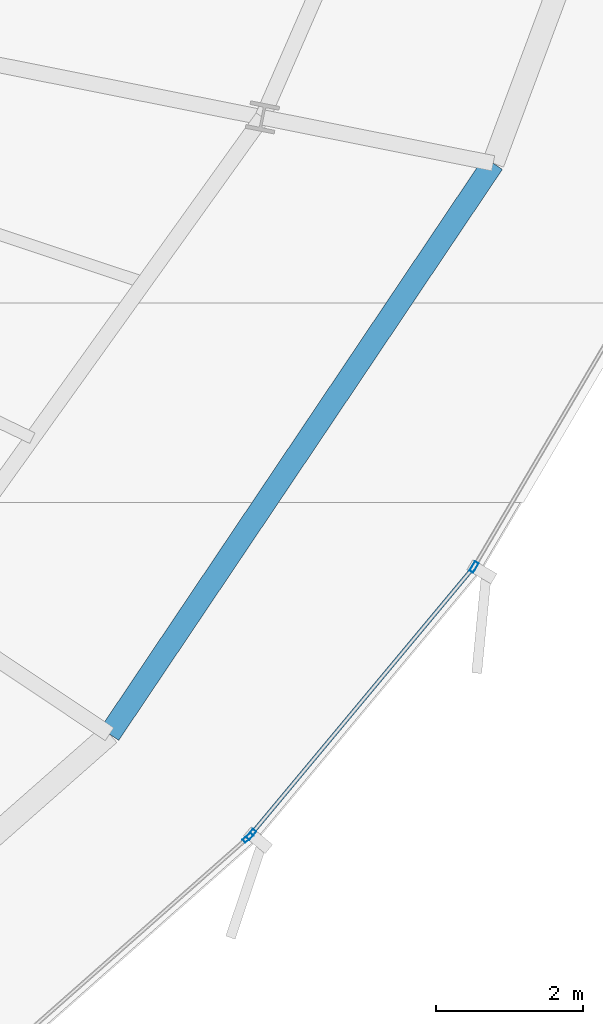
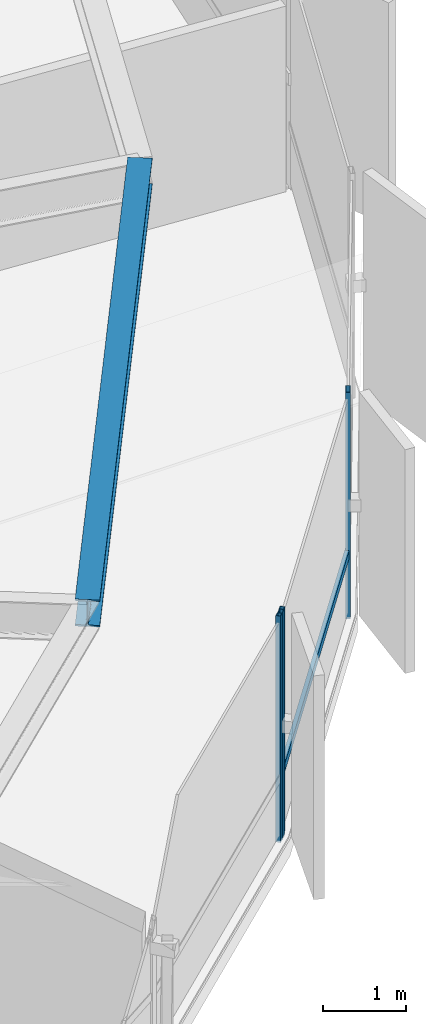
# One storey, part 14 of 33: 4 members, 1 beam, 2 elements without a shape of their own.
"""IFC4 building model written with IfcOpenShell, lengths in metres."""

import ifcopenshell
import ifcopenshell.guid

model = None  # the IFC model being written
_history = None  # IfcOwnerHistory: only IFC2X3 demands one
_inside = {}  # id of a spatial element -> (the spatial element, [elements in it])
_under = {}  # id of a project, library or spatial element -> (it, [spatial elements below it])
_declared = {}  # id of a project -> (the project, [libraries it declares])
_typed = {}  # id of a type object -> (the type object, [elements of that type])
_made_of = {}  # id of a material, layer set ... -> (it, [elements and type objects made of it])


def new_model(schema):
    """Start an empty IFC model of exactly this schema.

    Asked for "IFC4X3", IfcOpenShell would pick the latest addendum, in which some entities
    have other attributes; the version numbers below select the first issue.
    IFC2X3 requires an IfcOwnerHistory on every rooted entity: one is made here for all.
    """
    global model, _history
    if schema == "IFC4X3":
        model = ifcopenshell.file(schema_version=(4, 3, 0, 0))
    else:
        model = ifcopenshell.file(schema=schema)
    _inside.clear()
    _under.clear()
    _declared.clear()
    _typed.clear()
    _made_of.clear()
    _history = None
    if model.schema == "IFC2X3":
        org = make("IfcOrganization", Name="unknown")
        user = make(
            "IfcPersonAndOrganization",
            ThePerson=make("IfcPerson", FamilyName="unknown"),
            TheOrganization=org,
        )
        app = make(
            "IfcApplication",
            ApplicationDeveloper=org,
            Version="unknown",
            ApplicationFullName="unknown",
            ApplicationIdentifier="unknown",
        )
        _history = make(
            "IfcOwnerHistory",
            OwningUser=user,
            OwningApplication=app,
            ChangeAction="ADDED",
            CreationDate=0,
        )
    return model


def make(cls, **values):
    """One entity of the class cls with the attributes given. An attribute that is None is left unset."""
    return model.create_entity(
        cls, **{name: value for name, value in values.items() if value is not None}
    )


def rooted(cls, **values):
    """An entity with a GlobalId (a new one), such as an element, a storey or a relation."""
    return make(cls, GlobalId=ifcopenshell.guid.new(), OwnerHistory=_history, **values)


def si_unit(unit_type, name, prefix=None):
    """IfcSIUnit, for example si_unit("LENGTHUNIT", "METRE", prefix="MILLI")."""
    return make("IfcSIUnit", UnitType=unit_type, Prefix=prefix, Name=name)


def assignment(units):
    """IfcUnitAssignment: the units of a project."""
    return None if units is None else make("IfcUnitAssignment", Units=units)


def point(xyz):
    """IfcCartesianPoint."""
    return None if xyz is None else make("IfcCartesianPoint", Coordinates=xyz)


def direction(xyz):
    """IfcDirection."""
    return None if xyz is None else make("IfcDirection", DirectionRatios=xyz)


def frame(location, z_axis=None, x_axis=None):
    """IfcAxis2Placement3D, a coordinate frame: its origin and axes. An axis left out is left unset."""
    return make(
        "IfcAxis2Placement3D",
        Location=point(location),
        Axis=direction(z_axis),
        RefDirection=direction(x_axis),
    )


def frame_2d(location, x_axis=None):
    """IfcAxis2Placement2D, a coordinate frame in the plane: its origin and x axis."""
    return make(
        "IfcAxis2Placement2D", Location=point(location), RefDirection=direction(x_axis)
    )


def origin():
    """The frame at (0, 0, 0) with its axes left unset."""
    return frame((0.0, 0.0, 0.0))


def origin_2d():
    """The frame at (0, 0) in the plane with its x axis left unset."""
    return frame_2d((0.0, 0.0))


def place(relative_to, where):
    """IfcLocalPlacement: puts the frame where relative to a parent placement (None: the world)."""
    return make(
        "IfcLocalPlacement", PlacementRelTo=relative_to, RelativePlacement=where
    )


def context(
    kind, dimensions, precision=None, world=None, true_north=None, identifier=None
):
    """IfcGeometricRepresentationContext, for example the 3D "Model" context."""
    return make(
        "IfcGeometricRepresentationContext",
        ContextIdentifier=identifier,
        ContextType=kind,
        CoordinateSpaceDimension=dimensions,
        Precision=precision,
        WorldCoordinateSystem=world,
        TrueNorth=true_north,
    )


def subcontext(parent, identifier, kind, view, scale=None):
    """IfcGeometricRepresentationSubContext, for example "Body" below "Model"."""
    return make(
        "IfcGeometricRepresentationSubContext",
        ContextIdentifier=identifier,
        ContextType=kind,
        ParentContext=parent,
        TargetScale=scale,
        TargetView=view,
    )


def project(units=None, contexts=None):
    """IfcProject with its units and contexts."""
    return rooted(
        "IfcProject",
        Name="project",
        RepresentationContexts=contexts,
        UnitsInContext=assignment(units),
    )


def spatial(cls, under=None, at=None, **own):
    """A site, building, storey or space (cls), placed at a placement, below another one or the project."""
    s = rooted(cls, ObjectPlacement=at, **own)
    if under is not None:
        _under.setdefault(under.id(), (under, []))[1].append(s)
    return s


def profile(cls, at=None, kind="AREA", **sizes):
    """A parametric profile (cls). Its sizes go by their IFC names, for example OverallWidth=200.0."""
    return make(cls, ProfileType=kind, Position=at, **sizes)


def hollow_rectangle(**sizes):
    """IfcRectangleHollowProfileDef."""
    return profile("IfcRectangleHollowProfileDef", **sizes)


def i_section(**sizes):
    """IfcIShapeProfileDef."""
    return profile("IfcIShapeProfileDef", **sizes)


def extrude(swept, where, along, depth):
    """IfcExtrudedAreaSolid: the profile swept, set in the frame where, extruded along a direction by depth."""
    return make(
        "IfcExtrudedAreaSolid",
        SweptArea=swept,
        Position=where,
        ExtrudedDirection=direction(along),
        Depth=depth,
    )


def shape(context_of_items, identifier, shape_type, items):
    """IfcShapeRepresentation: the items that make up one representation, for example the "Body"."""
    return make(
        "IfcShapeRepresentation",
        ContextOfItems=context_of_items,
        RepresentationIdentifier=identifier,
        RepresentationType=shape_type,
        Items=items,
    )


def source(mapping_origin, context_of_items, identifier, shape_type, items):
    """IfcRepresentationMap: a shape defined once, which mapped items show again and again."""
    return make(
        "IfcRepresentationMap",
        MappingOrigin=mapping_origin,
        MappedRepresentation=shape(context_of_items, identifier, shape_type, items),
    )


def transform(
    local_origin,
    x_axis=None,
    y_axis=None,
    z_axis=None,
    scale=None,
    scale2=None,
    scale3=None,
    uniform=True,
):
    """IfcCartesianTransformationOperator3D, or its non-uniform kind. x_axis, y_axis, z_axis: its Axis1, 2, 3."""
    if uniform:
        return make(
            "IfcCartesianTransformationOperator3D",
            Axis1=direction(x_axis),
            Axis2=direction(y_axis),
            LocalOrigin=point(local_origin),
            Scale=scale,
            Axis3=direction(z_axis),
        )
    return make(
        "IfcCartesianTransformationOperator3DnonUniform",
        Axis1=direction(x_axis),
        Axis2=direction(y_axis),
        LocalOrigin=point(local_origin),
        Scale=scale,
        Axis3=direction(z_axis),
        Scale2=scale2,
        Scale3=scale3,
    )


def mapped(mapping_source, mapping_target):
    """IfcMappedItem: shows the shape of a source again, moved by a transform."""
    return make(
        "IfcMappedItem", MappingSource=mapping_source, MappingTarget=mapping_target
    )


def material(Name=None, Category=None):
    """IfcMaterial."""
    return make("IfcMaterial", Name=Name, Category=Category)


def layer(
    of_material, thickness, ventilated=None, Name=None, Category=None, Priority=None
):
    """IfcMaterialLayer: one layer of a wall or slab, of a material (None: an air gap)."""
    return make(
        "IfcMaterialLayer",
        Material=of_material,
        LayerThickness=thickness,
        IsVentilated=ventilated,
        Name=Name,
        Category=Category,
        Priority=Priority,
    )


def layer_set(layers, Name=None):
    """IfcMaterialLayerSet."""
    return make("IfcMaterialLayerSet", MaterialLayers=layers, LayerSetName=Name)


def material_profile(
    of_material, cross_section, Name=None, Category=None, Priority=None
):
    """IfcMaterialProfile: a cross section and its material."""
    return make(
        "IfcMaterialProfile",
        Name=Name,
        Material=of_material,
        Profile=cross_section,
        Priority=Priority,
        Category=Category,
    )


def profile_set(profiles, Name=None, composite=None):
    """IfcMaterialProfileSet."""
    return make(
        "IfcMaterialProfileSet",
        Name=Name,
        MaterialProfiles=profiles,
        CompositeProfile=composite,
    )


def made_of(thing, what):
    """Note that an element or type object is made of a material, layer set ...; save() writes the relation."""
    if what is not None:
        _made_of.setdefault(what.id(), (what, []))[1].append(thing)
    return thing


def type_object(cls, material=None, **own):
    """A type object (cls), such as IfcWallType, which elements share."""
    return made_of(rooted(cls, **own), material)


def element(
    cls,
    number,
    at=None,
    inside=None,
    cuts=None,
    type_object=None,
    material=None,
    context=None,
    identifier="Body",
    shape_type=None,
    held_by="IfcProductDefinitionShape",
    body=None,
    shapes=None,
    **own,
):
    """One element of the class cls, such as IfcWall. Its Tag is "e" and its number.

    at: its placement. inside: the storey or other place that contains it. cuts: it is an
    opening in that element (IfcRelVoidsElement). A single representation is given by context,
    identifier, shape_type and body (its items); several are given by shapes. held_by: the class
    of the entity that holds the representations. save() writes the other relations.
    """
    e = rooted(cls, Tag="e%d" % number, ObjectPlacement=at, **own)
    if body is not None:
        shapes = [shape(context, identifier, shape_type, body)]
    if shapes is not None:
        e.Representation = make(held_by, Representations=shapes)
    if inside is not None:
        _inside.setdefault(inside.id(), (inside, []))[1].append(e)
    if cuts is not None:
        rooted(
            "IfcRelVoidsElement", RelatingBuildingElement=cuts, RelatedOpeningElement=e
        )
    if type_object is not None:
        _typed.setdefault(type_object.id(), (type_object, []))[1].append(e)
    return made_of(e, material)


def aggregate(whole, parts):
    """IfcRelAggregates: a whole, such as a stair, and the parts it consists of."""
    return rooted("IfcRelAggregates", RelatingObject=whole, RelatedObjects=parts)


def save(model, path):
    """Write the relations noted so far, then the file.

    IfcRelAggregates (storeys below a building ...), IfcRelContainedInSpatialStructure (elements
    in a storey), IfcRelDefinesByType, IfcRelAssociatesMaterial and IfcRelDeclares: one each for
    every whole, place, type object, material and project.
    """
    for whole, parts in _under.values():
        aggregate(whole, parts)
    for where, things in _inside.values():
        rooted(
            "IfcRelContainedInSpatialStructure",
            RelatedElements=things,
            RelatingStructure=where,
        )
    for kind, things in _typed.values():
        rooted("IfcRelDefinesByType", RelatedObjects=things, RelatingType=kind)
    for what, things in _made_of.values():
        rooted("IfcRelAssociatesMaterial", RelatedObjects=things, RelatingMaterial=what)
    for by, libraries in _declared.values():
        rooted("IfcRelDeclares", RelatingContext=by, RelatedDefinitions=libraries)
    model.write(path)


model = new_model("IFC4")

# Units and contexts
model_context = context("Model", 3, precision=1e-05, world=origin(), true_north=direction((0.0, 1.0)))
body_context = subcontext(model_context, "Body", "Model", "MODEL_VIEW")
ifc_project = project(units=[si_unit("LENGTHUNIT", "METRE"), si_unit("AREAUNIT", "SQUARE_METRE"), si_unit("VOLUMEUNIT", "CUBIC_METRE"), si_unit("PLANEANGLEUNIT", "RADIAN"), si_unit("MASSUNIT", "GRAM", prefix="KILO"), si_unit("THERMODYNAMICTEMPERATUREUNIT", "KELVIN")], contexts=[model_context])

# Site, building, storey
site_placement = place(None, origin())
site = spatial("IfcSite", under=ifc_project, at=site_placement, CompositionType="ELEMENT")
building_placement = place(site_placement, origin())
building = spatial("IfcBuilding", under=site, at=building_placement, Name="Kethvar Cultural Tower", CompositionType="ELEMENT")
storey_placement = place(building_placement, frame((0.0, 0.0, 118.0)))
storey = spatial("IfcBuildingStorey", under=building, at=storey_placement, Name="L29", CompositionType="ELEMENT", Elevation=118.0)

# Beam
ifc_material_1 = material(Name="Steel S355J2", Category="steel")
ifc_material_profile_1 = material_profile(ifc_material_1, i_section(OverallWidth=0.300048828125, OverallDepth=0.39990234375, WebThickness=0.013427734375, FlangeThickness=0.02392578125, FilletRadius=0.027099609375, at=origin_2d()), Name="Steel S355J2 — HEB400")
ifc_profile_set_1 = profile_set([ifc_material_profile_1], Name="Steel S355J2 — HEB400")
beam_type = type_object("IfcBeamType", Name="BM-SP400", PredefinedType="SPANDREL", material=ifc_profile_set_1)
shared_shape_1 = source(origin(), body_context, "Body", "SweptSolid", [
    extrude(i_section(OverallWidth=0.300048828125, OverallDepth=0.39990234375, WebThickness=0.013427734375, FlangeThickness=0.02392578125, FilletRadius=0.027099609375, at=origin_2d()), origin(), (0.0, 0.0, 1.0), 9.355224609375),
])
beam_placement = place(storey_placement, frame((65.559326171875, 15.265380859375, 3.14794921875), z_axis=(0.557731714622, 0.830021285573, 0.0), x_axis=(-0.830021285573, 0.557731714622, 0.0)))
element("IfcBeam", 1, at=beam_placement, inside=storey, type_object=beam_type, Name="L29 Perimeter Spandrel Beam SP-15", PredefinedType="SPANDREL", context=body_context, shape_type="MappedRepresentation", body=[
    mapped(shared_shape_1, transform((0.0, 0.0, 0.0), scale=1.0)),
])

# Curtain wall, member
ifc_material_2 = material(Name="Aluminium 6063-T6", Category="aluminium")
ifc_layer = layer(ifc_material_2, 0.179931640625, Name="Aluminium 6063-T6", Category="aluminium")
ifc_layer_set = layer_set([ifc_layer], Name="Aluminium 6063-T6 (180 mm)")
curtain_wall_type = type_object("IfcCurtainWallType", Name="CW-SYS-03-Z2", PredefinedType="NOTDEFINED", material=ifc_layer_set)
curtain_wall_1_placement = place(storey_placement, origin())
curtain_wall_1 = element("IfcCurtainWall", 2, at=curtain_wall_1_placement, inside=storey, type_object=curtain_wall_type, Name="L29 Curtain Wall Run 05", PredefinedType="NOTDEFINED")
ifc_material_profile_2 = material_profile(ifc_material_2, hollow_rectangle(XDim=0.06005859375, YDim=0.14990234375, WallThickness=0.0048828125, at=origin_2d()), Name="Aluminium 6063-T6 — RHS150x60x5")
ifc_profile_set_2 = profile_set([ifc_material_profile_2], Name="Aluminium 6063-T6 — RHS150x60x5")
member_type_1 = type_object("IfcMemberType", Name="CW-SYS-03-Z2-MUL", PredefinedType="MULLION", material=ifc_profile_set_2)
shared_shape_2 = source(origin(), body_context, "Body", "SweptSolid", [
    extrude(hollow_rectangle(XDim=0.06005859375, YDim=0.14990234375, WallThickness=0.0048828125, at=origin_2d()), origin(), (0.0, 0.0, 1.0), 3.35009765625),
])
member_1_placement = place(storey_placement, frame((67.44189453125, 13.860107421875, 0.0), z_axis=(0.0, 0.0, 1.0), x_axis=(-0.66183538044, 0.749649204093, 0.0)))
member_1 = element("IfcMember", 3, at=member_1_placement, type_object=member_type_1, Name="CW-L29-R05 Mullion 7", PredefinedType="MULLION", context=body_context, shape_type="MappedRepresentation", body=[
    mapped(shared_shape_2, transform((0.0, 0.0, 0.0), scale=1.0)),
])
aggregate(curtain_wall_1, [member_1])

# Curtain wall, members
curtain_wall_2_placement = place(storey_placement, origin())
curtain_wall_2 = element("IfcCurtainWall", 4, at=curtain_wall_2_placement, inside=storey, type_object=curtain_wall_type, Name="L29 Curtain Wall Run 06", PredefinedType="NOTDEFINED")
member_2_placement = place(storey_placement, frame((67.48388671875, 13.9033203125, 0.0), z_axis=(0.0, 0.0, 1.0), x_axis=(-0.768160617195, 0.640257187535, 0.0)))
member_2 = element("IfcMember", 5, at=member_2_placement, type_object=member_type_1, Name="CW-L29-R06 Mullion 1", PredefinedType="MULLION", context=body_context, shape_type="MappedRepresentation", body=[
    mapped(shared_shape_2, transform((0.0, 0.0, 0.0), scale=1.0)),
])
member_3_placement = place(storey_placement, frame((70.51611328125, 17.538818359375, 0.0), z_axis=(0.0, 0.0, 1.0), x_axis=(-0.861389892962, 0.507944339768, 0.0)))
member_3 = element("IfcMember", 6, at=member_3_placement, type_object=member_type_1, Name="CW-L29-R06 Mullion 2", PredefinedType="MULLION", context=body_context, shape_type="MappedRepresentation", body=[
    mapped(shared_shape_2, transform((0.0, 0.0, 0.0), scale=1.0)),
])
ifc_material_profile_3 = material_profile(ifc_material_2, hollow_rectangle(XDim=0.054931640625, YDim=0.1201171875, WallThickness=0.00390625, at=origin_2d()), Name="Aluminium 6063-T6 — RHS120x55x4")
ifc_profile_set_3 = profile_set([ifc_material_profile_3], Name="Aluminium 6063-T6 — RHS120x55x4")
member_type_2 = type_object("IfcMemberType", Name="CW-SYS-03-Z2-TRN", PredefinedType="USERDEFINED", material=ifc_profile_set_3)
shared_shape_3 = source(origin(), body_context, "Body", "SweptSolid", [
    extrude(hollow_rectangle(XDim=0.054931640625, YDim=0.1201171875, WallThickness=0.00390625, at=origin_2d()), origin(), (0.0, 0.0, 1.0), 4.705078125),
])
member_4_placement = place(storey_placement, frame((67.486572265625, 13.906494140625, 0.949951171875), z_axis=(0.640255850319, 0.768161731755, 0.0), x_axis=(-0.768161731755, 0.640255850319, 0.0)))
member_4 = element("IfcMember", 7, at=member_4_placement, type_object=member_type_2, Name="CW-L29-R06 Transom 1", ObjectType="TRANSOM", PredefinedType="USERDEFINED", context=body_context, shape_type="MappedRepresentation", body=[
    mapped(shared_shape_3, transform((0.0, 0.0, 0.0), scale=1.0)),
])
aggregate(curtain_wall_2, [member_2, member_3, member_4])

save(model, "model.ifc")
